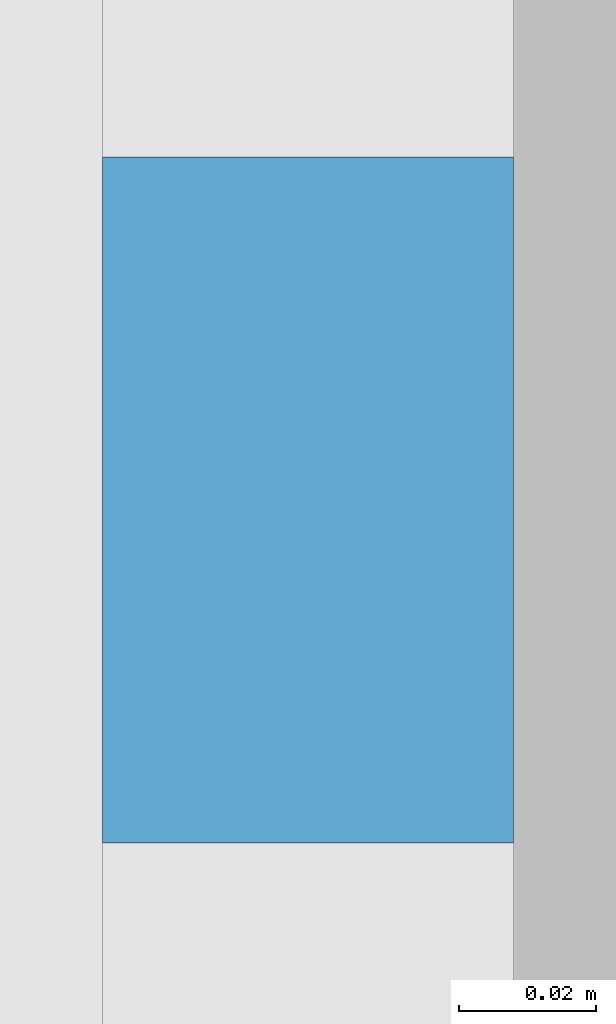
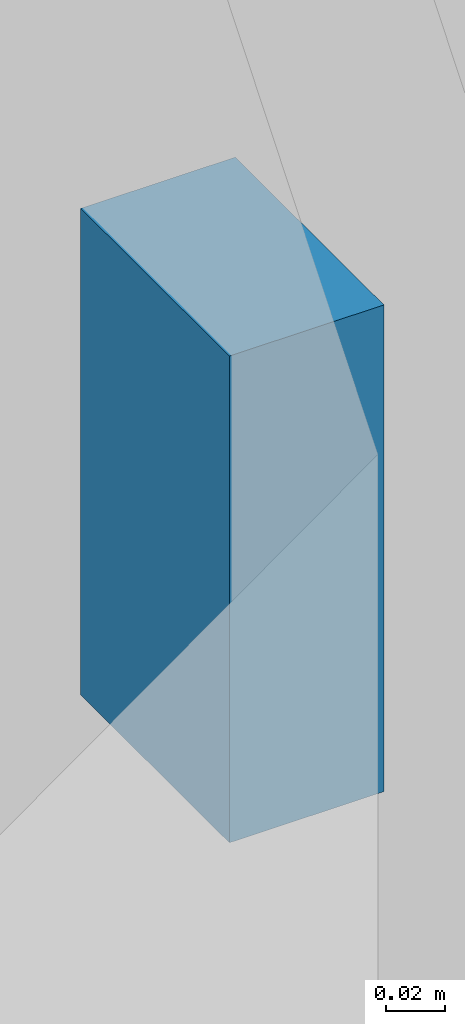
# One storey, part 7 of 13: 1 discrete accessory.
"""IFC4 building model written with IfcOpenShell, lengths in metres."""

from ifc_helpers import new_model, si_unit, direction, frame, origin, origin_2d, place, context, subcontext, project, spatial, rectangle, extrude, material, type_object, element, save


model = new_model("IFC4")

# Units and contexts
model_context = context("Model", 3, precision=1e-05, world=origin(), true_north=direction((0.0, 1.0)))
body_context = subcontext(model_context, "Body", "Model", "MODEL_VIEW")
ifc_project = project(units=[si_unit("LENGTHUNIT", "METRE"), si_unit("AREAUNIT", "SQUARE_METRE"), si_unit("VOLUMEUNIT", "CUBIC_METRE"), si_unit("PLANEANGLEUNIT", "RADIAN"), si_unit("MASSUNIT", "GRAM", prefix="KILO")], contexts=[model_context])

# Site, building, storey
site_placement = place(None, origin())
site = spatial("IfcSite", under=ifc_project, at=site_placement, CompositionType="ELEMENT")
building_placement = place(site_placement, origin())
building = spatial("IfcBuilding", under=site, at=building_placement, Name="Finial Court Residences", CompositionType="ELEMENT")
storey_placement = place(building_placement, frame((0.0, 0.0, 75.699951171875)))
storey = spatial("IfcBuildingStorey", under=building, at=storey_placement, Name="L18", CompositionType="ELEMENT", Elevation=75.699951171875)

# Discrete accessory
ifc_material = material(Name="Stainless steel 316", Category="steel")
discrete_accessory_type = type_object("IfcDiscreteAccessoryType", Name="Fin bracket, stainless steel 100 x 60 x 200", PredefinedType="BRACKET", material=ifc_material)
discrete_accessory_placement = place(storey_placement, frame((-25.530029296875, 1.5, 0.30029296875), z_axis=(0.0, 0.0, 1.0), x_axis=(1.0, 0.0, 0.0)))
element("IfcDiscreteAccessory", 1, at=discrete_accessory_placement, inside=storey, type_object=discrete_accessory_type, Name="E-L18-FIN-W30-BRK", PredefinedType="BRACKET", context=body_context, shape_type="SweptSolid", body=[
    extrude(rectangle(XDim=0.06005859375, YDim=0.10009765625, at=origin_2d()), origin(), (0.0, 0.0, 1.0), 0.199951171875),
])

save(model, "model.ifc")
